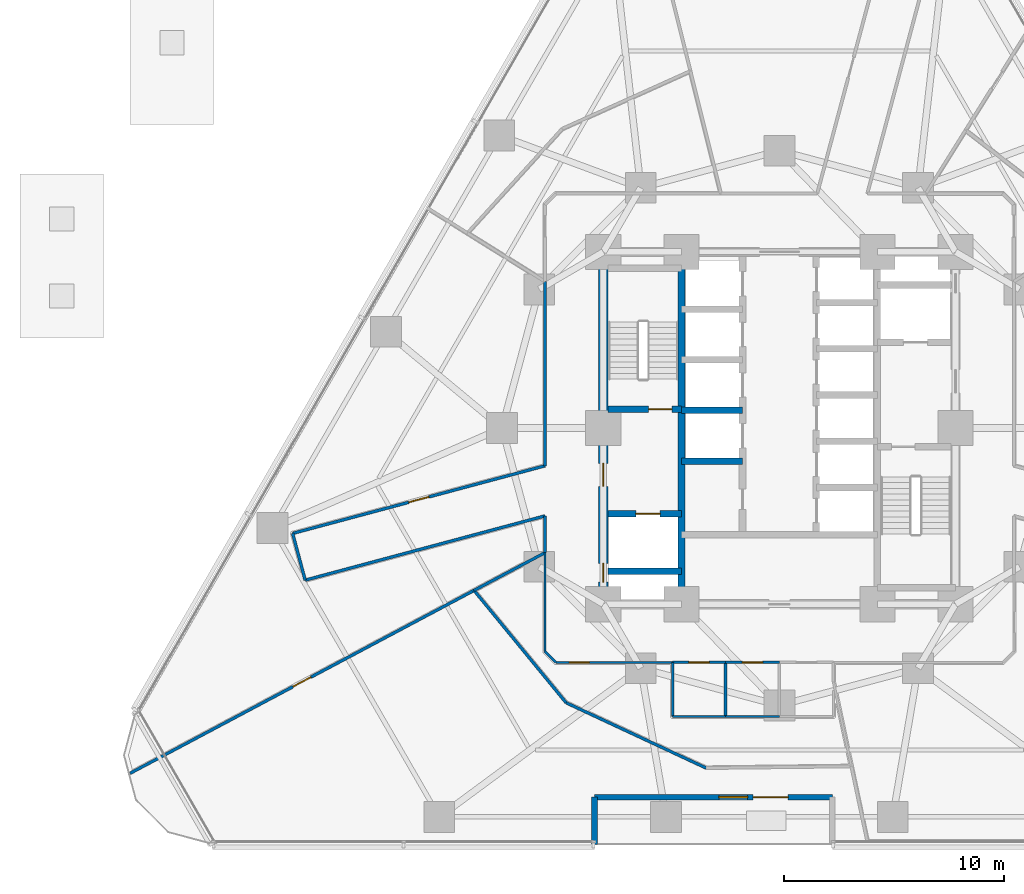
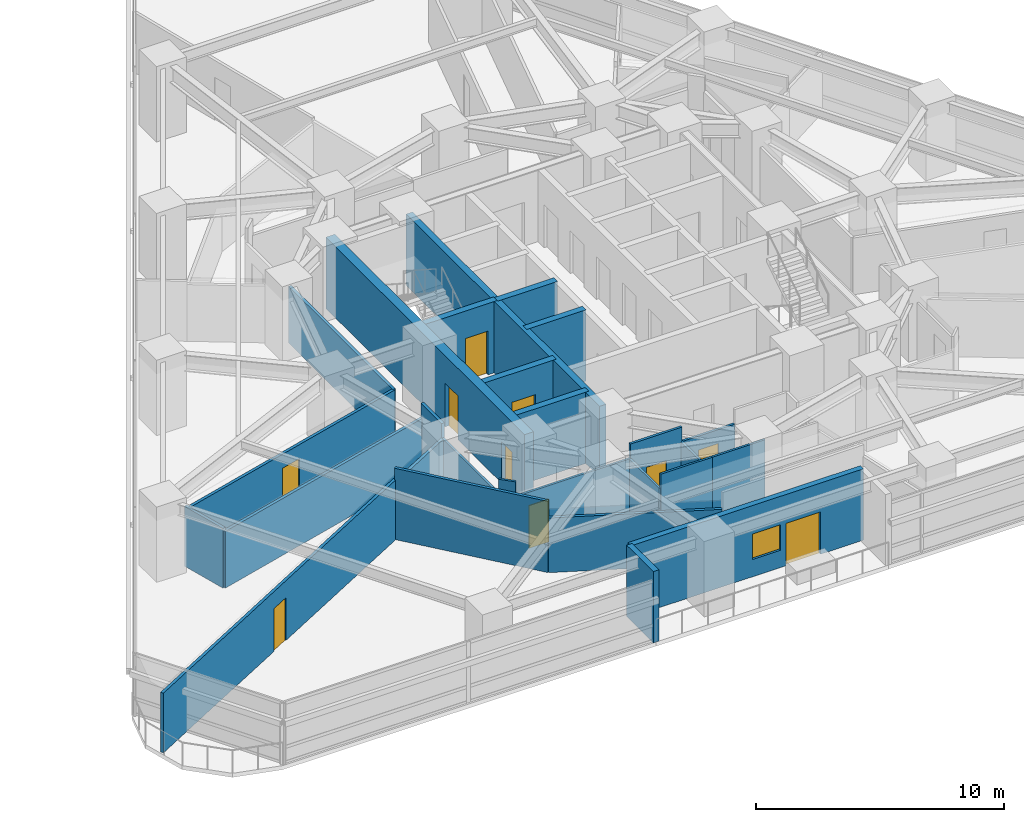
# One storey, part 8 of 16: 27 walls, 10 doors, 1 window, 11 openings.
"""IFC4 building model written with IfcOpenShell, lengths in metres."""

from ifc_helpers import new_model, si_unit, direction, frame, frame_2d, origin, place, context, subcontext, project, spatial, rectangle, extrude, material, layer, layer_set, type_object, element, fill, save


model = new_model("IFC4")

# Units and contexts
model_context = context("Model", 3, precision=1e-05, world=origin(), true_north=direction((0.0, 1.0)))
body_context = subcontext(model_context, "Body", "Model", "MODEL_VIEW")
ifc_project = project(units=[si_unit("LENGTHUNIT", "METRE"), si_unit("AREAUNIT", "SQUARE_METRE"), si_unit("VOLUMEUNIT", "CUBIC_METRE"), si_unit("PLANEANGLEUNIT", "RADIAN"), si_unit("MASSUNIT", "GRAM", prefix="KILO")], contexts=[model_context])

# Site, building, storey
site_placement = place(None, origin())
site = spatial("IfcSite", under=ifc_project, at=site_placement, CompositionType="ELEMENT")
building_placement = place(site_placement, origin())
building = spatial("IfcBuilding", under=site, at=building_placement, Name="Terralouvre Media Tower", CompositionType="ELEMENT")
storey_placement = place(building_placement, frame((0.0, 0.0, 29.699951171875)))
storey = spatial("IfcBuildingStorey", under=building, at=storey_placement, Name="L06", CompositionType="ELEMENT", Elevation=29.699951171875)

# Wall
ifc_material_1 = material(Name="Concrete C50/60", Category="concrete")
ifc_layer_1 = layer(ifc_material_1, 0.300048828125, Name="Core Internal Shaft Wall CW-300")
ifc_layer_set_1 = layer_set([ifc_layer_1], Name="Concrete C50/60")
wall_type_1 = type_object("IfcWallType", Name="Core Internal Shaft Wall CW-300", PredefinedType="SHEAR", material=ifc_layer_set_1)
wall_1_placement = place(storey_placement, frame((-4.449951171875, -7.7900390625, 0.0), z_axis=(0.0, 0.0, 1.0), x_axis=(0.0, 1.0, 0.0)))
element("IfcWall", 1, at=wall_1_placement, inside=storey, type_object=wall_type_1, Name="L06 Core Shaft Wall SPW", PredefinedType="SHEAR", context=body_context, shape_type="SweptSolid", body=[
    extrude(rectangle(XDim=15.580078125, YDim=0.300048828125, at=frame_2d((7.7900390625, 0.0))), origin(), (0.0, 0.0, 1.0), 3.5),
])

# Wall, opening, door
wall_2_placement = place(storey_placement, frame((-7.7900390625, 0.85009765625, 0.0), z_axis=(0.0, 0.0, 1.0), x_axis=(1.0, 0.0, 0.0)))
wall_2 = element("IfcWall", 2, at=wall_2_placement, inside=storey, type_object=wall_type_1, Name="L06 Core Shaft Wall ST1D", PredefinedType="SHEAR", context=body_context, shape_type="SweptSolid", body=[
    extrude(rectangle(XDim=3.340087890625, YDim=0.300048828125, at=frame_2d((1.669921875, 0.0))), origin(), (0.0, 0.0, 1.0), 3.5),
])
opening_1_placement = place(wall_2_placement, frame((1.85009765625, 0.0, 0.0)))
opening_1 = element("IfcOpeningElement", 3, at=opening_1_placement, cuts=wall_2, Name="Opening FD-01-105X215", PredefinedType="OPENING", context=body_context, shape_type="SweptSolid", body=[
    extrude(rectangle(XDim=1.050048828125, YDim=2.14990234375, at=frame_2d((0.52490234375, 1.074951171875))), frame((0.0, 0.159912109375, 0.0), z_axis=(0.0, -1.0, 0.0), x_axis=(1.0, 0.0, 0.0)), (0.0, 0.0, 1.0), 0.320068359375),
])
ifc_material_2 = material(Name="Galvanised steel fire-resisting leaf", Category="steel")
door_type_1 = type_object("IfcDoorType", Name="Stair and Firefighting Lobby Fire Door FD-01 (1050x2150)", OperationType="NOTDEFINED", PredefinedType="DOOR", material=ifc_material_2)
door_1_placement = place(opening_1_placement, origin())
door_1 = element("IfcDoor", 4, at=door_1_placement, inside=storey, type_object=door_type_1, Name="L06 ST-01 Exit Stair Door", OperationType="SINGLE_SWING_LEFT", OverallHeight=2.14990234375, OverallWidth=1.050048828125, PredefinedType="DOOR", context=body_context, shape_type="SweptSolid", body=[
    extrude(rectangle(XDim=1.050048828125, YDim=2.14990234375, at=frame_2d((0.52490234375, 1.074951171875))), frame((0.0, 0.02490234375, 0.0), z_axis=(0.0, -1.0, 0.0), x_axis=(1.0, 0.0, 0.0)), (0.0, 0.0, 1.0), 0.050048828125),
])
fill(opening_1, door_1)

wall_3_placement = place(storey_placement, frame((-7.7900390625, -3.89990234375, 0.0), z_axis=(0.0, 0.0, 1.0), x_axis=(1.0, 0.0, 0.0)))
wall_3 = element("IfcWall", 5, at=wall_3_placement, inside=storey, type_object=wall_type_1, Name="L06 Core Shaft Wall FF1N", PredefinedType="SHEAR", context=body_context, shape_type="SweptSolid", body=[
    extrude(rectangle(XDim=3.340087890625, YDim=0.300048828125, at=frame_2d((1.669921875, 0.0))), origin(), (0.0, 0.0, 1.0), 3.5),
])
opening_2_placement = place(wall_3_placement, frame((1.27001953125, 0.0, 0.0)))
opening_2 = element("IfcOpeningElement", 6, at=opening_2_placement, cuts=wall_3, Name="Opening LD-FF", PredefinedType="OPENING", context=body_context, shape_type="SweptSolid", body=[
    extrude(rectangle(XDim=1.10009765625, YDim=2.10009765625, at=frame_2d((0.550048828125, 1.050048828125))), frame((0.0, 0.159912109375, 0.0), z_axis=(0.0, -1.0, 0.0), x_axis=(1.0, 0.0, 0.0)), (0.0, 0.0, 1.0), 0.320068359375),
])
ifc_material_3 = material(Name="Stainless steel 316 handrail and balustrade", Category="steel")
door_type_2 = type_object("IfcDoorType", Name="Firefighting Lift Sliding Landing Door LD-FF", OperationType="SLIDING_TO_LEFT", PredefinedType="DOOR", material=ifc_material_3)
door_2_placement = place(opening_2_placement, origin())
door_2 = element("IfcDoor", 7, at=door_2_placement, inside=storey, type_object=door_type_2, Name="L06 Firefighting Lift FFL-01 Landing Door", OperationType="SLIDING_TO_LEFT", OverallHeight=2.10009765625, OverallWidth=1.10009765625, PredefinedType="DOOR", context=body_context, shape_type="SweptSolid", body=[
    extrude(rectangle(XDim=1.10009765625, YDim=2.10009765625, at=frame_2d((0.550048828125, 1.050048828125))), frame((0.0, 0.02490234375, 0.0), z_axis=(0.0, -1.0, 0.0), x_axis=(1.0, 0.0, 0.0)), (0.0, 0.0, 1.0), 0.050048828125),
])
fill(opening_2, door_2)

# Walls
wall_4_placement = place(storey_placement, frame((-7.7900390625, -6.5, 0.0), z_axis=(0.0, 0.0, 1.0), x_axis=(1.0, 0.0, 0.0)))
element("IfcWall", 8, at=wall_4_placement, inside=storey, type_object=wall_type_1, Name="L06 Core Shaft Wall FF1S", PredefinedType="SHEAR", context=body_context, shape_type="SweptSolid", body=[
    extrude(rectangle(XDim=3.340087890625, YDim=0.300048828125, at=frame_2d((1.669921875, 0.0))), origin(), (0.0, 0.0, 1.0), 3.5),
])
for number, where, z_axis, x_axis, name in (
    (9, (-4.449951171875, -1.5, 0.0), (0.0, 0.0, 1.0), (1.0, 0.0, 0.0), "L06 Core Shaft Wall PLLD0"),
    (10, (-4.449951171875, 0.800048828125, 0.0), (0.0, 0.0, 1.0), (1.0, 0.0, 0.0), "L06 Core Shaft Wall PLLD1"),
):
    element("IfcWall", number, at=place(storey_placement, frame(where, z_axis=z_axis, x_axis=x_axis)), inside=storey, type_object=wall_type_1, Name=name, PredefinedType="SHEAR", context=body_context, shape_type="SweptSolid", body=[
        extrude(rectangle(XDim=2.77001953125, YDim=0.300048828125, at=frame_2d((1.385009765625, 0.0))), origin(), (0.0, 0.0, 1.0), 3.5),
    ])

# Wall, openings, doors
ifc_material_4 = material(Name="Concrete C60/75", Category="concrete")
ifc_layer_2 = layer(ifc_material_4, 0.419921875, Name="Core Reinforced Concrete Shear Wall CW-420")
ifc_layer_set_2 = layer_set([ifc_layer_2], Name="Concrete C60/75")
wall_type_2 = type_object("IfcWallType", Name="Core Reinforced Concrete Shear Wall CW-420", PredefinedType="SHEAR", material=ifc_layer_set_2)
wall_5_placement = place(storey_placement, frame((-8.0, -8.0, 0.0), z_axis=(0.0, 0.0, 1.0), x_axis=(0.0, 1.0, 0.0)))
wall_5 = element("IfcWall", 11, at=wall_5_placement, inside=storey, type_object=wall_type_2, Name="L06 W Core Shear Wall", PredefinedType="SHEAR", context=body_context, shape_type="SweptSolid", body=[
    extrude(rectangle(XDim=16.0, YDim=0.419921875, at=frame_2d((8.0, 0.0))), origin(), (0.0, 0.0, 1.0), 3.5),
])
opening_3_placement = place(wall_5_placement, frame((1.001708984375, 0.0, 0.0)))
opening_3 = element("IfcOpeningElement", 12, at=opening_3_placement, cuts=wall_5, Name="Opening TD-R1", PredefinedType="OPENING", context=body_context, shape_type="SweptSolid", body=[
    extrude(rectangle(XDim=0.85009765625, YDim=2.02001953125, at=frame_2d((0.425048828125, 1.010009765625))), frame((0.0, 0.219970703125, 0.0), z_axis=(0.0, -1.0, 0.0), x_axis=(1.0, 0.0, 0.0)), (0.0, 0.0, 1.0), 0.43994140625),
])
opening_4_placement = place(wall_5_placement, frame((5.35009765625, 0.0, 0.0)))
opening_4 = element("IfcOpeningElement", 13, at=opening_4_placement, cuts=wall_5, Name="Opening FD-01-105X215", PredefinedType="OPENING", context=body_context, shape_type="SweptSolid", body=[
    extrude(rectangle(XDim=1.050048828125, YDim=2.14990234375, at=frame_2d((0.52490234375, 1.074951171875))), frame((0.0, 0.219970703125, 0.0), z_axis=(0.0, -1.0, 0.0), x_axis=(1.0, 0.0, 0.0)), (0.0, 0.0, 1.0), 0.43994140625),
])
ifc_material_5 = material(Name="Galvanised steel fire-resisting leaf", Category="steel")
door_type_3 = type_object("IfcDoorType", Name="Riser Inspection Access Trapdoor TD-R1", OperationType="NOTDEFINED", PredefinedType="TRAPDOOR", material=ifc_material_5)
door_3_placement = place(opening_3_placement, origin())
door_3 = element("IfcDoor", 14, at=door_3_placement, inside=storey, type_object=door_type_3, Name="L06 Wet Riser Access Trapdoor", OperationType="SINGLE_SWING_LEFT", OverallHeight=2.02001953125, OverallWidth=0.85009765625, PredefinedType="TRAPDOOR", context=body_context, shape_type="SweptSolid", body=[
    extrude(rectangle(XDim=0.85009765625, YDim=2.02001953125, at=frame_2d((0.425048828125, 1.010009765625))), frame((0.0, 0.02490234375, 0.0), z_axis=(0.0, -1.0, 0.0), x_axis=(1.0, 0.0, 0.0)), (0.0, 0.0, 1.0), 0.050048828125),
])
fill(opening_3, door_3)
door_4_placement = place(opening_4_placement, origin())
door_4 = element("IfcDoor", 15, at=door_4_placement, inside=storey, type_object=door_type_1, Name="L06 West Firefighting Lobby Entry Door", OperationType="SINGLE_SWING_RIGHT", OverallHeight=2.14990234375, OverallWidth=1.050048828125, PredefinedType="DOOR", context=body_context, shape_type="SweptSolid", body=[
    extrude(rectangle(XDim=1.050048828125, YDim=2.14990234375, at=frame_2d((0.52490234375, 1.074951171875))), frame((0.0, 0.02490234375, 0.0), z_axis=(0.0, -1.0, 0.0), x_axis=(1.0, 0.0, 0.0)), (0.0, 0.0, 1.0), 0.050048828125),
])
fill(opening_4, door_4)

# Walls
ifc_material_6 = material(Name="Low-iron laminated double glazing with solar-control coating", Category="glass")
ifc_layer_3 = layer(ifc_material_6, 0.10009765625, Name="Demountable Glazed Office Partition PT-GL100")
ifc_layer_set_3 = layer_set([ifc_layer_3], Name="Low-iron laminated double glazing with solar-control coating")
wall_type_3 = type_object("IfcWallType", Name="Demountable Glazed Office Partition PT-GL100", PredefinedType="MOVABLE", material=ifc_layer_set_3)
wall_6_placement = place(storey_placement, frame((-10.64990234375, -5.6630859375, 0.0), z_axis=(0.0, 0.0, 1.0), x_axis=(0.0, -1.0, 0.0)))
element("IfcWall", 16, at=wall_6_placement, inside=storey, type_object=wall_type_3, Name="L06 Interior Partition 016", PredefinedType="MOVABLE", context=body_context, shape_type="SweptSolid", body=[
    extrude(rectangle(XDim=4.48681640625, YDim=0.10009765625, at=frame_2d((2.243408203125, 0.0))), origin(), (0.0, 0.0, 1.0), 2.78515625),
])
wall_7_placement = place(storey_placement, frame((-10.64990234375, -10.14990234375, 0.0), z_axis=(0.0, 0.0, 1.0), x_axis=(0.707106781187, -0.707106781187, 0.0)))
element("IfcWall", 17, at=wall_7_placement, inside=storey, type_object=wall_type_3, Name="L06 Interior Partition 017", PredefinedType="MOVABLE", context=body_context, shape_type="SweptSolid", body=[
    extrude(rectangle(XDim=0.70703125, YDim=0.10009765625, at=frame_2d((0.353515625, 0.0))), origin(), (0.0, 0.0, 1.0), 3.5),
])

# Wall, opening, door
wall_8_placement = place(storey_placement, frame((-10.14990234375, -10.64990234375, 0.0), z_axis=(0.0, 0.0, 1.0), x_axis=(1.0, 0.0, 0.0)))
wall_8 = element("IfcWall", 18, at=wall_8_placement, inside=storey, type_object=wall_type_3, Name="L06 Interior Partition 018", PredefinedType="MOVABLE", context=body_context, shape_type="SweptSolid", body=[
    extrude(rectangle(XDim=5.2998046875, YDim=0.10009765625, at=frame_2d((2.64990234375, 0.0))), origin(), (0.0, 0.0, 1.0), 2.78515625),
])
opening_5_placement = place(wall_8_placement, frame((0.60009765625, 0.0, 0.0)))
opening_5 = element("IfcOpeningElement", 19, at=opening_5_placement, cuts=wall_8, Name="Opening ID-03-92X210", PredefinedType="OPENING", context=body_context, shape_type="SweptSolid", body=[
    extrude(rectangle(XDim=0.919921875, YDim=2.10009765625, at=frame_2d((0.4599609375, 1.050048828125))), frame((0.0, 0.06005859375, 0.0), z_axis=(0.0, -1.0, 0.0), x_axis=(1.0, 0.0, 0.0)), (0.0, 0.0, 1.0), 0.1201171875),
])
ifc_material_7 = material(Name="Engineered hardwood acoustic timber leaf", Category="wood")
door_type_4 = type_object("IfcDoorType", Name="Accessible Restroom and Suite Door ID-03 (920x2100)", OperationType="NOTDEFINED", PredefinedType="DOOR", material=ifc_material_7)
door_5_placement = place(opening_5_placement, origin())
door_5 = element("IfcDoor", 20, at=door_5_placement, inside=storey, type_object=door_type_4, Name="L06 Morning Rundown Briefing Room 5 Door", OperationType="SINGLE_SWING_LEFT", OverallHeight=2.10009765625, OverallWidth=0.919921875, PredefinedType="DOOR", context=body_context, shape_type="SweptSolid", body=[
    extrude(rectangle(XDim=0.919921875, YDim=2.10009765625, at=frame_2d((0.4599609375, 1.050048828125))), frame((0.0, 0.02490234375, 0.0), z_axis=(0.0, -1.0, 0.0), x_axis=(1.0, 0.0, 0.0)), (0.0, 0.0, 1.0), 0.050048828125),
])
fill(opening_5, door_5)

# Walls
wall_9_placement = place(storey_placement, frame((-2.449951171875, -13.10009765625, 0.0), z_axis=(0.0, 0.0, 1.0), x_axis=(-1.0, 0.0, 0.0)))
element("IfcWall", 21, at=wall_9_placement, inside=storey, type_object=wall_type_3, Name="L06 Interior Partition 046", PredefinedType="MOVABLE", context=body_context, shape_type="SweptSolid", body=[
    extrude(rectangle(XDim=2.400146484375, YDim=0.10009765625, at=frame_2d((1.2001953125, 0.0))), origin(), (0.0, 0.0, 1.0), 3.5),
])
wall_10_placement = place(storey_placement, frame((-4.85009765625, -13.10009765625, 0.0), z_axis=(0.0, 0.0, 1.0), x_axis=(0.0, 1.0, 0.0)))
element("IfcWall", 22, at=wall_10_placement, inside=storey, type_object=wall_type_3, Name="L06 Interior Partition 047", PredefinedType="MOVABLE", context=body_context, shape_type="SweptSolid", body=[
    extrude(rectangle(XDim=2.4501953125, YDim=0.10009765625, at=frame_2d((1.22509765625, 0.0))), origin(), (0.0, 0.0, 1.0), 2.78515625),
])
wall_11_placement = place(storey_placement, frame((0.0, -13.10009765625, 0.0), z_axis=(0.0, 0.0, 1.0), x_axis=(-1.0, 0.0, 0.0)))
element("IfcWall", 23, at=wall_11_placement, inside=storey, type_object=wall_type_3, Name="L06 Interior Partition 048", PredefinedType="MOVABLE", context=body_context, shape_type="SweptSolid", body=[
    extrude(rectangle(XDim=2.449951171875, YDim=0.10009765625, at=frame_2d((1.22509765625, 0.0))), origin(), (0.0, 0.0, 1.0), 3.5),
])
ifc_material_8 = material(Name="Fire-rated gypsum board drywall partition")
ifc_layer_4 = layer(ifc_material_8, 0.135009765625, Name="Newsroom Acoustic Partition PT-135")
ifc_layer_set_4 = layer_set([ifc_layer_4], Name="Fire-rated gypsum board drywall partition")
wall_type_4 = type_object("IfcWallType", Name="Newsroom Acoustic Partition PT-135", PredefinedType="PARTITIONING", material=ifc_layer_set_4)
wall_12_placement = place(storey_placement, frame((-10.64990234375, 6.655029296875, 0.0), z_axis=(0.0, 0.0, 1.0), x_axis=(0.0, -1.0, 0.0)))
element("IfcWall", 24, at=wall_12_placement, inside=storey, type_object=wall_type_4, Name="L06 Interior Partition 011", PredefinedType="PARTITIONING", context=body_context, shape_type="SweptSolid", body=[
    extrude(rectangle(XDim=8.3701171875, YDim=0.135009765625, at=frame_2d((4.18505859375, 0.0))), origin(), (0.0, 0.0, 1.0), 2.78515625),
])

# Wall, opening, door
wall_13_placement = place(storey_placement, frame((-10.64990234375, -1.715087890625, 0.0), z_axis=(0.0, 0.0, 1.0), x_axis=(-0.965926659449, -0.258815935688, 0.0)))
wall_13 = element("IfcWall", 25, at=wall_13_placement, inside=storey, type_object=wall_type_4, Name="L06 Interior Partition 012", PredefinedType="PARTITIONING", context=body_context, shape_type="SweptSolid", body=[
    extrude(rectangle(XDim=11.86962890625, YDim=0.135009765625, at=frame_2d((5.934814453125, 0.0))), origin(), (0.0, 0.0, 1.0), 2.78515625),
])
opening_6_placement = place(wall_13_placement, frame((5.459716796875, 0.0, 0.0)))
opening_6 = element("IfcOpeningElement", 26, at=opening_6_placement, cuts=wall_13, Name="Opening ID-02-95X210", PredefinedType="OPENING", context=body_context, shape_type="SweptSolid", body=[
    extrude(rectangle(XDim=0.949951171875, YDim=2.10009765625, at=frame_2d((0.47509765625, 1.050048828125))), frame((0.0, 0.077392578125, 0.0), z_axis=(0.0, -1.0, 0.0), x_axis=(1.0, 0.0, 0.0)), (0.0, 0.0, 1.0), 0.155029296875),
])
ifc_material_9 = material(Name="Engineered hardwood acoustic timber leaf", Category="wood")
door_type_5 = type_object("IfcDoorType", Name="Office and Meeting Room Door ID-02 (950x2100)", OperationType="NOTDEFINED", PredefinedType="DOOR", material=ifc_material_9)
door_6_placement = place(opening_6_placement, origin())
door_6 = element("IfcDoor", 27, at=door_6_placement, inside=storey, type_object=door_type_5, Name="L06 Assignment Editors Workspace 3 Door", OperationType="SINGLE_SWING_RIGHT", OverallHeight=2.10009765625, OverallWidth=0.949951171875, PredefinedType="DOOR", context=body_context, shape_type="SweptSolid", body=[
    extrude(rectangle(XDim=0.949951171875, YDim=2.10009765625, at=frame_2d((0.47509765625, 1.050048828125))), frame((0.0, 0.02490234375, 0.0), z_axis=(0.0, -1.0, 0.0), x_axis=(1.0, 0.0, 0.0)), (0.0, 0.0, 1.0), 0.050048828125),
])
fill(opening_6, door_6)

# Walls
wall_14_placement = place(storey_placement, frame((-22.114990234375, -4.787109375, 0.0), z_axis=(0.0, 0.0, 1.0), x_axis=(0.259105843213, -0.965848933329, 0.0)))
element("IfcWall", 28, at=wall_14_placement, inside=storey, type_object=wall_type_4, Name="L06 Interior Partition 013", PredefinedType="PARTITIONING", context=body_context, shape_type="SweptSolid", body=[
    extrude(rectangle(XDim=2.2001953125, YDim=0.135009765625, at=frame_2d((1.10009765625, 0.0))), origin(), (0.0, 0.0, 1.0), 2.93505859375),
])
wall_15_placement = place(storey_placement, frame((-21.544921875, -6.912109375, 0.0), z_axis=(0.0, 0.0, 1.0), x_axis=(0.965906888357, 0.258889712088, 0.0)))
element("IfcWall", 29, at=wall_15_placement, inside=storey, type_object=wall_type_4, Name="L06 Interior Partition 014", PredefinedType="PARTITIONING", context=body_context, shape_type="SweptSolid", body=[
    extrude(rectangle(XDim=11.279541015625, YDim=0.135009765625, at=frame_2d((5.6396484375, 0.0))), origin(), (0.0, 0.0, 1.0), 2.78515625),
])
wall_16_placement = place(storey_placement, frame((-10.64990234375, -3.991943359375, 0.0), z_axis=(0.0, 0.0, 1.0), x_axis=(0.0, -1.0, 0.0)))
element("IfcWall", 30, at=wall_16_placement, inside=storey, type_object=wall_type_4, Name="L06 Interior Partition 015", PredefinedType="PARTITIONING", context=body_context, shape_type="SweptSolid", body=[
    extrude(rectangle(XDim=1.671142578125, YDim=0.135009765625, at=frame_2d((0.83544921875, 0.0))), origin(), (0.0, 0.0, 1.0), 3.5),
])

# Wall, opening, door
wall_17_placement = place(storey_placement, frame((-29.498046875, -15.68408203125, 0.0), z_axis=(0.0, 0.0, 1.0), x_axis=(0.882944182352, 0.46947797696, 0.0)))
wall_17 = element("IfcWall", 31, at=wall_17_placement, inside=storey, type_object=wall_type_4, Name="L06 Interior Partition 038", PredefinedType="PARTITIONING", context=body_context, shape_type="SweptSolid", body=[
    extrude(rectangle(XDim=17.696533203125, YDim=0.135009765625, at=frame_2d((8.84814453125, 0.0))), origin(), (0.0, 0.0, 1.0), 2.93505859375),
])
opening_7_placement = place(wall_17_placement, frame((8.38818359375, 0.0, 0.0)))
opening_7 = element("IfcOpeningElement", 32, at=opening_7_placement, cuts=wall_17, Name="Opening ID-03-92X210", PredefinedType="OPENING", context=body_context, shape_type="SweptSolid", body=[
    extrude(rectangle(XDim=0.919921875, YDim=2.10009765625, at=frame_2d((0.4599609375, 1.050048828125))), frame((0.0, 0.077392578125, 0.0), z_axis=(0.0, -1.0, 0.0), x_axis=(1.0, 0.0, 0.0)), (0.0, 0.0, 1.0), 0.155029296875),
])
door_7_placement = place(opening_7_placement, origin())
door_7 = element("IfcDoor", 33, at=door_7_placement, inside=storey, type_object=door_type_4, Name="L06 Foreign Copy Desk Office 4 Door", OperationType="SINGLE_SWING_RIGHT", OverallHeight=2.10009765625, OverallWidth=0.919921875, PredefinedType="DOOR", context=body_context, shape_type="SweptSolid", body=[
    extrude(rectangle(XDim=0.919921875, YDim=2.10009765625, at=frame_2d((0.4599609375, 1.050048828125))), frame((0.0, 0.02490234375, 0.0), z_axis=(0.0, -1.0, 0.0), x_axis=(1.0, 0.0, 0.0)), (0.0, 0.0, 1.0), 0.050048828125),
])
fill(opening_7, door_7)

# Walls
wall_18_placement = place(storey_placement, frame((-13.873046875, -7.3759765625, 0.0), z_axis=(0.0, 0.0, 1.0), x_axis=(0.883048160598, 0.469282373486, 0.0)))
element("IfcWall", 34, at=wall_18_placement, inside=storey, type_object=wall_type_4, Name="L06 Interior Partition 039", PredefinedType="PARTITIONING", context=body_context, shape_type="SweptSolid", body=[
    extrude(rectangle(XDim=3.64990234375, YDim=0.135009765625, at=frame_2d((1.824951171875, 0.0))), origin(), (0.0, 0.0, 1.0), 2.78515625),
])
wall_19_placement = place(storey_placement, frame((-3.330078125, -15.445068359375, 0.0), z_axis=(0.0, 0.0, 1.0), x_axis=(-0.90631018164, 0.422613126458, 0.0)))
element("IfcWall", 35, at=wall_19_placement, inside=storey, type_object=wall_type_4, Name="L06 Interior Partition 043", PredefinedType="PARTITIONING", context=body_context, shape_type="SweptSolid", body=[
    extrude(rectangle(XDim=7.018310546875, YDim=0.135009765625, at=frame_2d((3.50927734375, 0.0))), origin(), (0.0, 0.0, 1.0), 2.68505859375),
])
wall_20_placement = place(storey_placement, frame((-9.69091796875, -12.47900390625, 0.0), z_axis=(0.0, 0.0, 1.0), x_axis=(-0.633866270814, 0.773442661562, 0.0)))
element("IfcWall", 36, at=wall_20_placement, inside=storey, type_object=wall_type_4, Name="L06 Interior Partition 044", PredefinedType="PARTITIONING", context=body_context, shape_type="SweptSolid", body=[
    extrude(rectangle(XDim=6.597900390625, YDim=0.135009765625, at=frame_2d((3.298828125, 0.0))), origin(), (0.0, 0.0, 1.0), 3.5),
])

# Wall, openings, window, door
ifc_material_10 = material(Name="Kiln-fired architectural terracotta rainscreen cladding", Category="masonry")
ifc_layer_5 = layer(ifc_material_10, 0.260009765625, Name="Recessed Sky-Garden Acoustic Wall EW-SG260")
ifc_layer_set_5 = layer_set([ifc_layer_5], Name="Kiln-fired architectural terracotta rainscreen cladding")
wall_type_5 = type_object("IfcWallType", Name="Recessed Sky-Garden Acoustic Wall EW-SG260", PredefinedType="SOLIDWALL", material=ifc_layer_set_5)
wall_21_placement = place(storey_placement, frame((-8.39990234375, -16.766845703125, 0.0), z_axis=(0.0, 0.0, 1.0), x_axis=(1.0, 0.0, 0.0)))
wall_21 = element("IfcWall", 37, at=wall_21_placement, inside=storey, type_object=wall_type_5, Name="L06 SG Recessed Loggia Back Wall", PredefinedType="SOLIDWALL", context=body_context, shape_type="SweptSolid", body=[
    extrude(rectangle(XDim=10.7998046875, YDim=0.260009765625, at=frame_2d((5.39990234375, 0.0))), origin(), (0.0, 0.0, 1.0), 3.5),
])
opening_8_placement = place(wall_21_placement, frame((7.199951171875, 0.0, 0.0)))
opening_8 = element("IfcOpeningElement", 38, at=opening_8_placement, cuts=wall_21, Name="Opening TD-01", PredefinedType="OPENING", context=body_context, shape_type="SweptSolid", body=[
    extrude(rectangle(XDim=1.60009765625, YDim=2.080078125, at=frame_2d((0.800048828125, 1.0400390625))), frame((0.0, 0.139892578125, 0.0), z_axis=(0.0, -1.0, 0.0), x_axis=(1.0, 0.0, 0.0)), (0.0, 0.0, 1.0), 0.280029296875),
])
opening_9_placement = place(wall_21_placement, frame((5.64990234375, 0.0, 0.85009765625)))
opening_9 = element("IfcOpeningElement", 39, at=opening_9_placement, cuts=wall_21, Name="Opening W-03", PredefinedType="OPENING", context=body_context, shape_type="SweptSolid", body=[
    extrude(rectangle(XDim=1.300048828125, YDim=1.25, at=frame_2d((0.64990234375, 0.625))), frame((0.0, 0.139892578125, 0.0), z_axis=(0.0, -1.0, 0.0), x_axis=(1.0, 0.0, 0.0)), (0.0, 0.0, 1.0), 0.280029296875),
])
ifc_material_11 = material(Name="Low-iron laminated double glazing with solar-control coating", Category="glass")
window_type = type_object("IfcWindowType", Name="Sky-Garden Loggia Window W-03", PartitioningType="SINGLE_PANEL", PredefinedType="WINDOW", material=ifc_material_11)
window_placement = place(opening_9_placement, origin())
window = element("IfcWindow", 40, at=window_placement, inside=storey, type_object=window_type, Name="L06 Pocket Loggia Window 1", OverallHeight=1.25, OverallWidth=1.300048828125, PartitioningType="SINGLE_PANEL", PredefinedType="WINDOW", context=body_context, shape_type="SweptSolid", body=[
    extrude(rectangle(XDim=1.300048828125, YDim=1.25, at=frame_2d((0.64990234375, 0.625))), frame((0.0, 0.030029296875, 0.0), z_axis=(0.0, -1.0, 0.0), x_axis=(1.0, 0.0, 0.0)), (0.0, 0.0, 1.0), 0.06005859375),
])
fill(opening_9, window)
ifc_material_12 = material(Name="Anodised extruded aluminium 6063-T6", Category="aluminium")
door_type_6 = type_object("IfcDoorType", Name="Sky-Garden Terrace Double Door TD-01", OperationType="DOUBLE_DOOR_SLIDING", PredefinedType="DOOR", material=ifc_material_12)
door_8_placement = place(opening_8_placement, frame((1.60009765625, 0.0, 0.0), z_axis=(0.0, 0.0, 1.0), x_axis=(-1.0, 0.0, 0.0)))
door_8 = element("IfcDoor", 41, at=door_8_placement, inside=storey, type_object=door_type_6, Name="L06 Sky-Garden Terrace Door", OperationType="DOUBLE_DOOR_SLIDING", OverallHeight=2.080078125, OverallWidth=1.60009765625, PredefinedType="DOOR", context=body_context, shape_type="SweptSolid", body=[
    extrude(rectangle(XDim=1.60009765625, YDim=2.080078125, at=frame_2d((0.800048828125, 1.0400390625))), frame((0.0, 0.02490234375, 0.0), z_axis=(0.0, -1.0, 0.0), x_axis=(1.0, 0.0, 0.0)), (0.0, 0.0, 1.0), 0.050048828125),
])
fill(opening_8, door_8)

# Wall
wall_22_placement = place(storey_placement, frame((-8.39990234375, -18.916748046875, 0.0), z_axis=(0.0, 0.0, 1.0), x_axis=(0.0, 1.0, 0.0)))
element("IfcWall", 42, at=wall_22_placement, inside=storey, type_object=wall_type_5, Name="L06 SG Pocket Left Cheek Wall", PredefinedType="SOLIDWALL", context=body_context, shape_type="SweptSolid", body=[
    extrude(rectangle(XDim=2.14990234375, YDim=0.260009765625, at=frame_2d((1.074951171875, 0.0))), origin(), (0.0, 0.0, 1.0), 3.5),
])

# Wall, opening, door
ifc_material_13 = material(Name="Fire-rated gypsum board drywall partition")
ifc_layer_6 = layer(ifc_material_13, 0.114990234375, Name="Restroom and Pantry Partition PT-115")
ifc_layer_set_6 = layer_set([ifc_layer_6], Name="Fire-rated gypsum board drywall partition")
wall_type_6 = type_object("IfcWallType", Name="Restroom and Pantry Partition PT-115", PredefinedType="PARTITIONING", material=ifc_layer_set_6)
wall_23_placement = place(storey_placement, frame((-4.85009765625, -10.64990234375, 0.0), z_axis=(0.0, 0.0, 1.0), x_axis=(1.0, 0.0, 0.0)))
wall_23 = element("IfcWall", 43, at=wall_23_placement, inside=storey, type_object=wall_type_6, Name="L06 Interior Partition 019", PredefinedType="PARTITIONING", context=body_context, shape_type="SweptSolid", body=[
    extrude(rectangle(XDim=2.400146484375, YDim=0.114990234375, at=frame_2d((1.2001953125, 0.0))), origin(), (0.0, 0.0, 1.0), 3.5),
])
opening_10_placement = place(wall_23_placement, frame((0.739990234375, 0.0, 0.0)))
opening_10 = element("IfcOpeningElement", 44, at=opening_10_placement, cuts=wall_23, Name="Opening ID-03-92X210", PredefinedType="OPENING", context=body_context, shape_type="SweptSolid", body=[
    extrude(rectangle(XDim=0.919921875, YDim=2.10009765625, at=frame_2d((0.4599609375, 1.050048828125))), frame((0.0, 0.0673828125, 0.0), z_axis=(0.0, -1.0, 0.0), x_axis=(1.0, 0.0, 0.0)), (0.0, 0.0, 1.0), 0.135009765625),
])
door_9_placement = place(opening_10_placement, origin())
door_9 = element("IfcDoor", 45, at=door_9_placement, inside=storey, type_object=door_type_4, Name="L06 Male Restroom WC Door", OperationType="SINGLE_SWING_RIGHT", OverallHeight=2.10009765625, OverallWidth=0.919921875, PredefinedType="DOOR", context=body_context, shape_type="SweptSolid", body=[
    extrude(rectangle(XDim=0.919921875, YDim=2.10009765625, at=frame_2d((0.4599609375, 1.050048828125))), frame((0.0, 0.02490234375, 0.0), z_axis=(0.0, -1.0, 0.0), x_axis=(1.0, 0.0, 0.0)), (0.0, 0.0, 1.0), 0.050048828125),
])
fill(opening_10, door_9)

wall_24_placement = place(storey_placement, frame((-2.449951171875, -10.64990234375, 0.0), z_axis=(0.0, 0.0, 1.0), x_axis=(1.0, 0.0, 0.0)))
wall_24 = element("IfcWall", 46, at=wall_24_placement, inside=storey, type_object=wall_type_6, Name="L06 Interior Partition 020", PredefinedType="PARTITIONING", context=body_context, shape_type="SweptSolid", body=[
    extrude(rectangle(XDim=2.449951171875, YDim=0.114990234375, at=frame_2d((1.22509765625, 0.0))), origin(), (0.0, 0.0, 1.0), 2.78515625),
])
opening_11_placement = place(wall_24_placement, frame((0.764892578125, 0.0, 0.0)))
opening_11 = element("IfcOpeningElement", 47, at=opening_11_placement, cuts=wall_24, Name="Opening ID-03-92X210", PredefinedType="OPENING", context=body_context, shape_type="SweptSolid", body=[
    extrude(rectangle(XDim=0.919921875, YDim=2.10009765625, at=frame_2d((0.4599609375, 1.050048828125))), frame((0.0, 0.0673828125, 0.0), z_axis=(0.0, -1.0, 0.0), x_axis=(1.0, 0.0, 0.0)), (0.0, 0.0, 1.0), 0.135009765625),
])
door_10_placement = place(opening_11_placement, origin())
door_10 = element("IfcDoor", 48, at=door_10_placement, inside=storey, type_object=door_type_4, Name="L06 Female Restroom WC Door", OperationType="SINGLE_SWING_LEFT", OverallHeight=2.10009765625, OverallWidth=0.919921875, PredefinedType="DOOR", context=body_context, shape_type="SweptSolid", body=[
    extrude(rectangle(XDim=0.919921875, YDim=2.10009765625, at=frame_2d((0.4599609375, 1.050048828125))), frame((0.0, 0.02490234375, 0.0), z_axis=(0.0, -1.0, 0.0), x_axis=(1.0, 0.0, 0.0)), (0.0, 0.0, 1.0), 0.050048828125),
])
fill(opening_11, door_10)

# Wall
wall_25_placement = place(storey_placement, frame((-2.449951171875, -13.10009765625, 0.0), z_axis=(0.0, 0.0, 1.0), x_axis=(0.0, 1.0, 0.0)))
element("IfcWall", 49, at=wall_25_placement, inside=storey, type_object=wall_type_6, Name="L06 Interior Partition 052", PredefinedType="PARTITIONING", context=body_context, shape_type="SweptSolid", body=[
    extrude(rectangle(XDim=2.4501953125, YDim=0.114990234375, at=frame_2d((1.22509765625, 0.0))), origin(), (0.0, 0.0, 1.0), 2.78515625),
])

save(model, "model.ifc")
